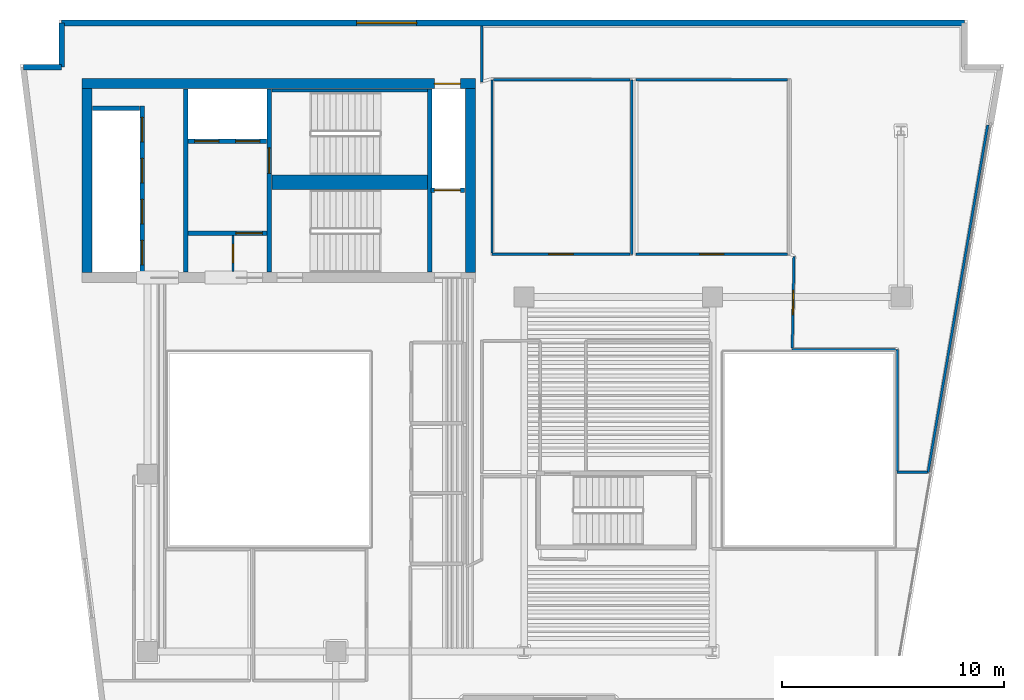
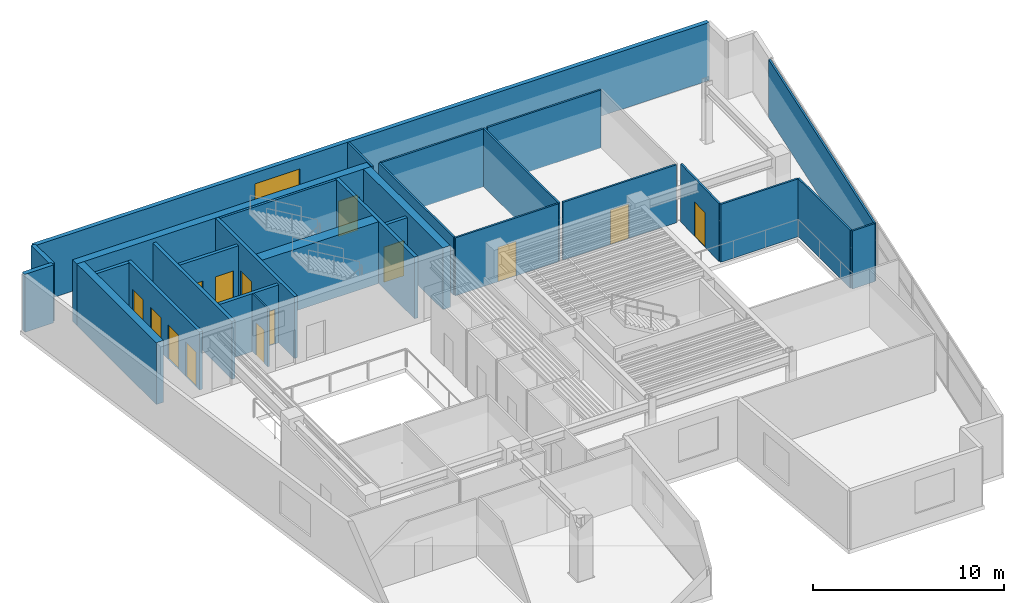
# One storey, part 5 of 9: 29 walls, 14 doors, 1 window, 15 openings.
"""IFC4 building model written with IfcOpenShell, lengths in metres."""

from ifc_helpers import new_model, si_unit, direction, frame, frame_2d, origin, place, context, subcontext, project, spatial, rectangle, extrude, material, layer, layer_set, type_object, element, fill, save


model = new_model("IFC4")

# Units and contexts
model_context = context("Model", 3, precision=1e-05, world=origin(), true_north=direction((0.0, 1.0)))
body_context = subcontext(model_context, "Body", "Model", "MODEL_VIEW")
ifc_project = project(units=[si_unit("LENGTHUNIT", "METRE"), si_unit("AREAUNIT", "SQUARE_METRE"), si_unit("VOLUMEUNIT", "CUBIC_METRE"), si_unit("PLANEANGLEUNIT", "RADIAN"), si_unit("MASSUNIT", "GRAM", prefix="KILO")], contexts=[model_context])

# Site, building, storey
site_placement = place(None, origin())
site = spatial("IfcSite", under=ifc_project, at=site_placement, CompositionType="ELEMENT")
building_placement = place(site_placement, origin())
building = spatial("IfcBuilding", under=site, at=building_placement, Name="Caeloran Harvest Quay", CompositionType="ELEMENT")
storey_placement = place(building_placement, frame((0.0, 0.0, 203.5)))
storey = spatial("IfcBuildingStorey", under=building, at=storey_placement, Name="L48", CompositionType="ELEMENT", Elevation=203.5)

# Walls
ifc_material_1 = material(Name="Precast concrete C50/60", Category="concrete")
ifc_layer_1 = layer(ifc_material_1, 0.260009765625, Name="Precast concrete C50/60")
ifc_layer_set_1 = layer_set([ifc_layer_1], Name="Precast concrete C50/60")
wall_type_1 = type_object("IfcWallType", Name="ENV-WALL-EW-260", PredefinedType="STANDARD", material=ifc_layer_set_1)
wall_1_placement = place(storey_placement, frame((2.89599609375, 41.3701171875, 0.0), z_axis=(0.0, 0.0, 1.0), x_axis=(1.0, 0.0, 0.0)))
element("IfcWall", 1, at=wall_1_placement, inside=storey, type_object=wall_type_1, Name="L48 Exterior Precast Concrete Facade Wall 4", PredefinedType="STANDARD", context=body_context, shape_type="SweptSolid", body=[
    extrude(rectangle(XDim=1.73388671875, YDim=0.260009765625, at=frame_2d((0.866943359375, 0.0))), origin(), (0.0, 0.0, 1.0), 3.699951171875),
])
wall_2_placement = place(storey_placement, frame((4.6298828125, 41.3701171875, 0.0), z_axis=(0.0, 0.0, 1.0), x_axis=(0.0, 1.0, 0.0)))
element("IfcWall", 2, at=wall_2_placement, inside=storey, type_object=wall_type_1, Name="L48 Exterior Precast Concrete Facade Wall 5", PredefinedType="STANDARD", context=body_context, shape_type="SweptSolid", body=[
    extrude(rectangle(XDim=2.0, YDim=0.260009765625, at=frame_2d((1.0, 0.0))), origin(), (0.0, 0.0, 1.0), 3.699951171875),
])

# Wall, opening, window
wall_3_placement = place(storey_placement, frame((4.6298828125, 43.3701171875, 0.0), z_axis=(0.0, 0.0, 1.0), x_axis=(1.0, 0.0, 0.0)))
wall_3 = element("IfcWall", 3, at=wall_3_placement, inside=storey, type_object=wall_type_1, Name="L48 Exterior Precast Concrete Facade Wall 6", PredefinedType="STANDARD", context=body_context, shape_type="SweptSolid", body=[
    extrude(rectangle(XDim=40.740234375, YDim=0.260009765625, at=frame_2d((20.3701171875, 0.0))), origin(), (0.0, 0.0, 1.0), 3.699951171875),
])
opening_1_placement = place(wall_3_placement, frame((13.31591796875, 0.0, 0.89990234375)))
opening_1 = element("IfcOpeningElement", 4, at=opening_1_placement, cuts=wall_3, Name="Opening W-07", PredefinedType="OPENING", context=body_context, shape_type="SweptSolid", body=[
    extrude(rectangle(XDim=2.699951171875, YDim=2.10009765625, at=frame_2d((1.35009765625, 1.050048828125))), frame((0.0, 0.14013671875, 0.0), z_axis=(0.0, -1.0, 0.0), x_axis=(1.0, 0.0, 0.0)), (0.0, 0.0, 1.0), 0.280029296875),
])
ifc_material_2 = material(Name="Aluminium-Framed Low-E Laminated Glass", Category="aluminium")
window_type = type_object("IfcWindowType", Name="WIN-W-07", PartitioningType="DOUBLE_PANEL_VERTICAL", PredefinedType="WINDOW", material=ifc_material_2)
window_placement = place(opening_1_placement, origin())
window = element("IfcWindow", 5, at=window_placement, inside=storey, type_object=window_type, Name="L48 Facade Punched Window W-07", OverallHeight=2.10009765625, OverallWidth=2.699951171875, PartitioningType="DOUBLE_PANEL_VERTICAL", PredefinedType="WINDOW", context=body_context, shape_type="SweptSolid", body=[
    extrude(rectangle(XDim=2.699951171875, YDim=2.10009765625, at=frame_2d((1.35009765625, 1.050048828125))), frame((0.0, 0.030029296875, 0.0), z_axis=(0.0, -1.0, 0.0), x_axis=(1.0, 0.0, 0.0)), (0.0, 0.0, 1.0), 0.06005859375),
])
fill(opening_1, window)

# Wall, opening, door
ifc_material_3 = material(Name="Fire-Resisting Gypsum Core Riser Partition", Category="gypsum")
ifc_layer_2 = layer(ifc_material_3, 0.10009765625, Name="Fire-Resisting Gypsum Core Riser Partition")
ifc_layer_set_2 = layer_set([ifc_layer_2], Name="Fire-Resisting Gypsum Core Riser Partition")
wall_type_2 = type_object("IfcWallType", Name="INT-WALL-PW-100", PredefinedType="PARTITIONING", material=ifc_layer_set_2)
wall_4_placement = place(storey_placement, frame((12.360107421875, 32.159912109375, 0.0), z_axis=(0.0, 0.0, 1.0), x_axis=(0.0, 1.0, 0.0)))
wall_4 = element("IfcWall", 6, at=wall_4_placement, inside=storey, type_object=wall_type_2, Name="L48 Core Store Partition Wall", PredefinedType="PARTITIONING", context=body_context, shape_type="SweptSolid", body=[
    extrude(rectangle(XDim=1.6201171875, YDim=0.10009765625, at=frame_2d((0.81005859375, 0.0))), origin(), (0.0, 0.0, 1.0), 3.699951171875),
])
opening_2_placement = place(wall_4_placement, frame((0.3798828125, 0.0, 0.0)))
opening_2 = element("IfcOpeningElement", 7, at=opening_2_placement, cuts=wall_4, Name="Opening SV-01", PredefinedType="OPENING", context=body_context, shape_type="SweptSolid", body=[
    extrude(rectangle(XDim=0.85009765625, YDim=2.10009765625, at=frame_2d((0.425048828125, 1.050048828125))), frame((0.0, 0.06005859375, 0.0), z_axis=(0.0, -1.0, 0.0), x_axis=(1.0, 0.0, 0.0)), (0.0, 0.0, 1.0), 0.1201171875),
])
ifc_material_4 = material(Name="Galvanized Painted Steel", Category="steel")
door_type_1 = type_object("IfcDoorType", Name="INTDOOR-SV-01", OperationType="NOTDEFINED", PredefinedType="DOOR", material=ifc_material_4)
door_1_placement = place(opening_2_placement, origin())
door_1 = element("IfcDoor", 8, at=door_1_placement, inside=storey, type_object=door_type_1, Name="L48 Core Service Room Access Door", OperationType="SINGLE_SWING_RIGHT", OverallHeight=2.10009765625, OverallWidth=0.85009765625, PredefinedType="DOOR", context=body_context, shape_type="SweptSolid", body=[
    extrude(rectangle(XDim=0.85009765625, YDim=2.10009765625, at=frame_2d((0.425048828125, 1.050048828125))), frame((0.0, 0.02490234375, 0.0), z_axis=(0.0, -1.0, 0.0), x_axis=(1.0, 0.0, 0.0)), (0.0, 0.0, 1.0), 0.050048828125),
])
fill(opening_2, door_1)

# Wall
ifc_material_5 = material(Name="Single-Stud Acoustic Gypsum Office Partition", Category="gypsum")
ifc_layer_3 = layer(ifc_material_5, 0.112060546875, Name="Single-Stud Acoustic Gypsum Office Partition")
ifc_layer_set_3 = layer_set([ifc_layer_3], Name="Single-Stud Acoustic Gypsum Office Partition")
wall_type_3 = type_object("IfcWallType", Name="INT-WALL-PW-112", PredefinedType="PARTITIONING", material=ifc_layer_set_3)
wall_5_placement = place(storey_placement, frame((30.35009765625, 40.800048828125, 0.0), z_axis=(0.0, 0.0, 1.0), x_axis=(0.0, -1.0, 0.0)))
element("IfcWall", 9, at=wall_5_placement, inside=storey, type_object=wall_type_3, Name="L48 Bioinformatics and Crop Phenotyping Laboratory Partition Wall", PredefinedType="PARTITIONING", context=body_context, shape_type="SweptSolid", body=[
    extrude(rectangle(XDim=7.880126953125, YDim=0.112060546875, at=frame_2d((3.93994140625, 0.0))), origin(), (0.0, 0.0, 1.0), 3.699951171875),
])

# Wall, opening, door
wall_6_placement = place(storey_placement, frame((30.2890625, 32.919921875, 0.0), z_axis=(0.0, 0.0, 1.0), x_axis=(-1.0, 0.0, 0.0)))
wall_6 = element("IfcWall", 10, at=wall_6_placement, inside=storey, type_object=wall_type_3, Name="L48 Bioinformatics and Crop Phenotyping Laboratory Partition Wall", PredefinedType="PARTITIONING", context=body_context, shape_type="SweptSolid", body=[
    extrude(rectangle(XDim=6.239013671875, YDim=0.112060546875, at=frame_2d((3.11962890625, 0.0))), origin(), (0.0, 0.0, 1.0), 3.699951171875),
])
opening_3_placement = place(wall_6_placement, frame((2.569580078125, 0.0, 0.0)))
opening_3 = element("IfcOpeningElement", 11, at=opening_3_placement, cuts=wall_6, Name="Opening ID-04", PredefinedType="OPENING", context=body_context, shape_type="SweptSolid", body=[
    extrude(rectangle(XDim=1.10009765625, YDim=2.199951171875, at=frame_2d((0.550048828125, 1.10009765625))), frame((0.0, 0.06591796875, 0.0), z_axis=(0.0, -1.0, 0.0), x_axis=(1.0, 0.0, 0.0)), (0.0, 0.0, 1.0), 0.132080078125),
])
ifc_material_6 = material(Name="Acoustic Walnut Veneer Executive Door", Category="wood")
door_type_2 = type_object("IfcDoorType", Name="INTDOOR-ID-04", OperationType="NOTDEFINED", PredefinedType="DOOR", material=ifc_material_6)
door_2_placement = place(opening_3_placement, origin())
door_2 = element("IfcDoor", 12, at=door_2_placement, inside=storey, type_object=door_type_2, Name="L48 Bioinformatics and Crop Phenotyping Laboratory Access Door", OperationType="SINGLE_SWING_LEFT", OverallHeight=2.199951171875, OverallWidth=1.10009765625, PredefinedType="DOOR", context=body_context, shape_type="SweptSolid", body=[
    extrude(rectangle(XDim=1.10009765625, YDim=2.199951171875, at=frame_2d((0.550048828125, 1.10009765625))), frame((0.0, 0.02490234375, 0.0), z_axis=(0.0, -1.0, 0.0), x_axis=(1.0, 0.0, 0.0)), (0.0, 0.0, 1.0), 0.050048828125),
])
fill(opening_3, door_2)

# Walls
wall_7_placement = place(storey_placement, frame((24.050048828125, 32.98095703125, 0.0), z_axis=(0.0, 0.0, 1.0), x_axis=(0.0, 1.0, 0.0)))
element("IfcWall", 13, at=wall_7_placement, inside=storey, type_object=wall_type_3, Name="L48 Bioinformatics and Crop Phenotyping Laboratory Partition Wall", PredefinedType="PARTITIONING", context=body_context, shape_type="SweptSolid", body=[
    extrude(rectangle(XDim=7.819091796875, YDim=0.112060546875, at=frame_2d((3.90966796875, 0.0))), origin(), (0.0, 0.0, 1.0), 3.699951171875),
])
wall_8_placement = place(storey_placement, frame((24.111083984375, 40.800048828125, 0.0), z_axis=(0.0, 0.0, 1.0), x_axis=(1.0, 0.0, 0.0)))
element("IfcWall", 14, at=wall_8_placement, inside=storey, type_object=wall_type_3, Name="L48 Bioinformatics and Crop Phenotyping Laboratory Partition Wall", PredefinedType="PARTITIONING", context=body_context, shape_type="SweptSolid", body=[
    extrude(rectangle(XDim=6.177978515625, YDim=0.112060546875, at=frame_2d((3.0888671875, 0.0))), origin(), (0.0, 0.0, 1.0), 3.699951171875),
])

# Wall, opening, door
wall_9_placement = place(storey_placement, frame((37.388916015625, 32.919921875, 0.0), z_axis=(0.0, 0.0, 1.0), x_axis=(-1.0, 0.0, 0.0)))
wall_9 = element("IfcWall", 15, at=wall_9_placement, inside=storey, type_object=wall_type_3, Name="L48 Agri-Genomics Executive Strategy Boardroom Partition Wall", PredefinedType="PARTITIONING", context=body_context, shape_type="SweptSolid", body=[
    extrude(rectangle(XDim=6.8388671875, YDim=0.112060546875, at=frame_2d((3.41943359375, 0.0))), origin(), (0.0, 0.0, 1.0), 3.699951171875),
])
opening_4_placement = place(wall_9_placement, frame((2.869384765625, 0.0, 0.0)))
opening_4 = element("IfcOpeningElement", 16, at=opening_4_placement, cuts=wall_9, Name="Opening ID-04", PredefinedType="OPENING", context=body_context, shape_type="SweptSolid", body=[
    extrude(rectangle(XDim=1.10009765625, YDim=2.199951171875, at=frame_2d((0.550048828125, 1.10009765625))), frame((0.0, 0.06591796875, 0.0), z_axis=(0.0, -1.0, 0.0), x_axis=(1.0, 0.0, 0.0)), (0.0, 0.0, 1.0), 0.132080078125),
])
door_3_placement = place(opening_4_placement, origin())
door_3 = element("IfcDoor", 17, at=door_3_placement, inside=storey, type_object=door_type_2, Name="L48 Agri-Genomics Executive Strategy Boardroom Access Door", OperationType="SINGLE_SWING_RIGHT", OverallHeight=2.199951171875, OverallWidth=1.10009765625, PredefinedType="DOOR", context=body_context, shape_type="SweptSolid", body=[
    extrude(rectangle(XDim=1.10009765625, YDim=2.199951171875, at=frame_2d((0.550048828125, 1.10009765625))), frame((0.0, 0.02490234375, 0.0), z_axis=(0.0, -1.0, 0.0), x_axis=(1.0, 0.0, 0.0)), (0.0, 0.0, 1.0), 0.050048828125),
])
fill(opening_4, door_3)

# Walls
wall_10_placement = place(storey_placement, frame((30.550048828125, 40.800048828125, 0.0), z_axis=(0.0, 0.0, 1.0), x_axis=(1.0, 0.0, 0.0)))
element("IfcWall", 18, at=wall_10_placement, inside=storey, type_object=wall_type_3, Name="L48 Agri-Genomics Executive Strategy Boardroom Partition Wall", PredefinedType="PARTITIONING", context=body_context, shape_type="SweptSolid", body=[
    extrude(rectangle(XDim=6.8388671875, YDim=0.112060546875, at=frame_2d((3.41943359375, 0.0))), origin(), (0.0, 0.0, 1.0), 3.699951171875),
])
wall_11_placement = place(storey_placement, frame((23.580078125, 40.693115234375, 0.0), z_axis=(0.0, 0.0, 1.0), x_axis=(0.0, 1.0, 0.0)))
element("IfcWall", 19, at=wall_11_placement, inside=storey, type_object=wall_type_3, Name="IT Comms Laboratory Partition Wall", PredefinedType="PARTITIONING", context=body_context, shape_type="SweptSolid", body=[
    extrude(rectangle(XDim=2.5419921875, YDim=0.112060546875, at=frame_2d((1.27099609375, 0.0))), origin(), (0.0, 0.0, 1.0), 3.699951171875),
])
wall_12_placement = place(storey_placement, frame((46.422119140625, 38.7626953125, 0.0), z_axis=(0.0, 0.0, 1.0), x_axis=(-0.169427539839, -0.985542646842, 0.0)))
element("IfcWall", 20, at=wall_12_placement, inside=storey, type_object=wall_type_3, Name="IT Comms Laboratory Partition Wall", PredefinedType="PARTITIONING", context=body_context, shape_type="SweptSolid", body=[
    extrude(rectangle(XDim=15.91259765625, YDim=0.112060546875, at=frame_2d((7.956298828125, 0.0))), origin(), (0.0, 0.0, 1.0), 3.699951171875),
])
wall_13_placement = place(storey_placement, frame((43.696533203125, 23.080078125, 0.0), z_axis=(0.0, 0.0, 1.0), x_axis=(-1.0, 0.0, 0.0)))
element("IfcWall", 21, at=wall_13_placement, inside=storey, type_object=wall_type_3, Name="IT Comms Laboratory Partition Wall", PredefinedType="PARTITIONING", context=body_context, shape_type="SweptSolid", body=[
    extrude(rectangle(XDim=1.366455078125, YDim=0.112060546875, at=frame_2d((0.68310546875, 0.0))), origin(), (0.0, 0.0, 1.0), 3.699951171875),
])
wall_14_placement = place(storey_placement, frame((42.330078125, 23.14111328125, 0.0), z_axis=(0.0, 0.0, 1.0), x_axis=(0.0, 1.0, 0.0)))
element("IfcWall", 22, at=wall_14_placement, inside=storey, type_object=wall_type_3, Name="IT Comms Laboratory Partition Wall", PredefinedType="PARTITIONING", context=body_context, shape_type="SweptSolid", body=[
    extrude(rectangle(XDim=5.48876953125, YDim=0.112060546875, at=frame_2d((2.744384765625, 0.0))), origin(), (0.0, 0.0, 1.0), 3.699951171875),
])
wall_15_placement = place(storey_placement, frame((42.26904296875, 28.6298828125, 0.0), z_axis=(0.0, 0.0, 1.0), x_axis=(-1.0, 0.0, 0.0)))
element("IfcWall", 23, at=wall_15_placement, inside=storey, type_object=wall_type_3, Name="IT Comms Laboratory Partition Wall", PredefinedType="PARTITIONING", context=body_context, shape_type="SweptSolid", body=[
    extrude(rectangle(XDim=4.671142578125, YDim=0.112060546875, at=frame_2d((2.33544921875, 0.0))), origin(), (0.0, 0.0, 1.0), 3.699951171875),
])

# Wall, opening, door
wall_16_placement = place(storey_placement, frame((37.59912109375, 28.69091796875, 0.0), z_axis=(0.0, 0.0, 1.0), x_axis=(0.019566997539, 0.999808547977, 0.0)))
wall_16 = element("IfcWall", 24, at=wall_16_placement, inside=storey, type_object=wall_type_3, Name="IT Comms Laboratory Partition Wall", PredefinedType="PARTITIONING", context=body_context, shape_type="SweptSolid", body=[
    extrude(rectangle(XDim=4.1298828125, YDim=0.112060546875, at=frame_2d((2.06494140625, 0.0))), origin(), (0.0, 0.0, 1.0), 3.699951171875),
])
opening_5_placement = place(wall_16_placement, frame((1.514892578125, 0.0, 0.0)))
opening_5 = element("IfcOpeningElement", 25, at=opening_5_placement, cuts=wall_16, Name="Opening ID-04", PredefinedType="OPENING", context=body_context, shape_type="SweptSolid", body=[
    extrude(rectangle(XDim=1.10009765625, YDim=2.199951171875, at=frame_2d((0.550048828125, 1.10009765625))), frame((0.0, 0.06591796875, 0.0), z_axis=(0.0, -1.0, 0.0), x_axis=(1.0, 0.0, 0.0)), (0.0, 0.0, 1.0), 0.132080078125),
])
door_4_placement = place(opening_5_placement, origin())
door_4 = element("IfcDoor", 26, at=door_4_placement, inside=storey, type_object=door_type_2, Name="IT Comms Laboratory Access Door", OperationType="SINGLE_SWING_LEFT", OverallHeight=2.199951171875, OverallWidth=1.10009765625, PredefinedType="DOOR", context=body_context, shape_type="SweptSolid", body=[
    extrude(rectangle(XDim=1.10009765625, YDim=2.199951171875, at=frame_2d((0.550048828125, 1.10009765625))), frame((0.0, 0.02490234375, 0.0), z_axis=(0.0, -1.0, 0.0), x_axis=(1.0, 0.0, 0.0)), (0.0, 0.0, 1.0), 0.050048828125),
])
fill(opening_5, door_4)

# Wall, openings, doors
ifc_material_7 = material(Name="Concrete C50/60", Category="concrete")
ifc_layer_4 = layer(ifc_material_7, 0.199951171875, Name="Concrete C50/60")
ifc_layer_set_4 = layer_set([ifc_layer_4], Name="Concrete C50/60")
wall_type_4 = type_object("IfcWallType", Name="INT-WALL-SW-200", PredefinedType="PARTITIONING", material=ifc_layer_set_4)
wall_17_placement = place(storey_placement, frame((8.260009765625, 32.1201171875, 0.0), z_axis=(0.0, 0.0, 1.0), x_axis=(0.0, 1.0, 0.0)))
wall_17 = element("IfcWall", 27, at=wall_17_placement, inside=storey, type_object=wall_type_4, Name="L48 Bank 3 Lift Shaft Wall", PredefinedType="PARTITIONING", context=body_context, shape_type="SweptSolid", body=[
    extrude(rectangle(XDim=7.5, YDim=0.199951171875, at=frame_2d((3.75, 0.0))), origin(), (0.0, 0.0, 1.0), 3.699951171875),
])
opening_6_placement = place(wall_17_placement, frame((0.330078125, 0.0, 0.0)))
opening_6 = element("IfcOpeningElement", 28, at=opening_6_placement, cuts=wall_17, Name="Opening LD-01", PredefinedType="OPENING", context=body_context, shape_type="SweptSolid", body=[
    extrude(rectangle(XDim=1.10009765625, YDim=2.199951171875, at=frame_2d((0.550048828125, 1.10009765625))), frame((0.0, 0.10986328125, 0.0), z_axis=(0.0, -1.0, 0.0), x_axis=(1.0, 0.0, 0.0)), (0.0, 0.0, 1.0), 0.219970703125),
])
opening_7_placement = place(wall_17_placement, frame((2.179931640625, 0.0, 0.0)))
opening_7 = element("IfcOpeningElement", 29, at=opening_7_placement, cuts=wall_17, Name="Opening LD-01", PredefinedType="OPENING", context=body_context, shape_type="SweptSolid", body=[
    extrude(rectangle(XDim=1.10009765625, YDim=2.199951171875, at=frame_2d((0.550048828125, 1.10009765625))), frame((0.0, 0.10986328125, 0.0), z_axis=(0.0, -1.0, 0.0), x_axis=(1.0, 0.0, 0.0)), (0.0, 0.0, 1.0), 0.219970703125),
])
opening_8_placement = place(wall_17_placement, frame((4.030029296875, 0.0, 0.0)))
opening_8 = element("IfcOpeningElement", 30, at=opening_8_placement, cuts=wall_17, Name="Opening LD-01", PredefinedType="OPENING", context=body_context, shape_type="SweptSolid", body=[
    extrude(rectangle(XDim=1.10009765625, YDim=2.199951171875, at=frame_2d((0.550048828125, 1.10009765625))), frame((0.0, 0.10986328125, 0.0), z_axis=(0.0, -1.0, 0.0), x_axis=(1.0, 0.0, 0.0)), (0.0, 0.0, 1.0), 0.219970703125),
])
opening_9_placement = place(wall_17_placement, frame((5.8798828125, 0.0, 0.0)))
opening_9 = element("IfcOpeningElement", 31, at=opening_9_placement, cuts=wall_17, Name="Opening LD-01", PredefinedType="OPENING", context=body_context, shape_type="SweptSolid", body=[
    extrude(rectangle(XDim=1.10009765625, YDim=2.199951171875, at=frame_2d((0.550048828125, 1.10009765625))), frame((0.0, 0.10986328125, 0.0), z_axis=(0.0, -1.0, 0.0), x_axis=(1.0, 0.0, 0.0)), (0.0, 0.0, 1.0), 0.219970703125),
])
ifc_material_8 = material(Name="Stainless Steel Grade 316", Category="steel")
door_type_3 = type_object("IfcDoorType", Name="INTDOOR-LD-01", OperationType="NOTDEFINED", PredefinedType="DOOR", material=ifc_material_8)
door_5_placement = place(opening_6_placement, origin())
door_5 = element("IfcDoor", 32, at=door_5_placement, inside=storey, type_object=door_type_3, Name="Lift P3-1 Sliding Landing Door (L48)", OperationType="DOUBLE_DOOR_SLIDING", OverallHeight=2.199951171875, OverallWidth=1.10009765625, PredefinedType="DOOR", context=body_context, shape_type="SweptSolid", body=[
    extrude(rectangle(XDim=1.10009765625, YDim=2.199951171875, at=frame_2d((0.550048828125, 1.10009765625))), frame((0.0, 0.02490234375, 0.0), z_axis=(0.0, -1.0, 0.0), x_axis=(1.0, 0.0, 0.0)), (0.0, 0.0, 1.0), 0.050048828125),
])
fill(opening_6, door_5)
door_6_placement = place(opening_7_placement, origin())
door_6 = element("IfcDoor", 33, at=door_6_placement, inside=storey, type_object=door_type_3, Name="Lift P3-2 Sliding Landing Door (L48)", OperationType="DOUBLE_DOOR_SLIDING", OverallHeight=2.199951171875, OverallWidth=1.10009765625, PredefinedType="DOOR", context=body_context, shape_type="SweptSolid", body=[
    extrude(rectangle(XDim=1.10009765625, YDim=2.199951171875, at=frame_2d((0.550048828125, 1.10009765625))), frame((0.0, 0.02490234375, 0.0), z_axis=(0.0, -1.0, 0.0), x_axis=(1.0, 0.0, 0.0)), (0.0, 0.0, 1.0), 0.050048828125),
])
fill(opening_7, door_6)
door_7_placement = place(opening_8_placement, origin())
door_7 = element("IfcDoor", 34, at=door_7_placement, inside=storey, type_object=door_type_3, Name="Lift P3-3 Sliding Landing Door (L48)", OperationType="DOUBLE_DOOR_SLIDING", OverallHeight=2.199951171875, OverallWidth=1.10009765625, PredefinedType="DOOR", context=body_context, shape_type="SweptSolid", body=[
    extrude(rectangle(XDim=1.10009765625, YDim=2.199951171875, at=frame_2d((0.550048828125, 1.10009765625))), frame((0.0, 0.02490234375, 0.0), z_axis=(0.0, -1.0, 0.0), x_axis=(1.0, 0.0, 0.0)), (0.0, 0.0, 1.0), 0.050048828125),
])
fill(opening_8, door_7)
door_8_placement = place(opening_9_placement, origin())
door_8 = element("IfcDoor", 35, at=door_8_placement, inside=storey, type_object=door_type_3, Name="Lift P3-4 Sliding Landing Door (L48)", OperationType="DOUBLE_DOOR_SLIDING", OverallHeight=2.199951171875, OverallWidth=1.10009765625, PredefinedType="DOOR", context=body_context, shape_type="SweptSolid", body=[
    extrude(rectangle(XDim=1.10009765625, YDim=2.199951171875, at=frame_2d((0.550048828125, 1.10009765625))), frame((0.0, 0.02490234375, 0.0), z_axis=(0.0, -1.0, 0.0), x_axis=(1.0, 0.0, 0.0)), (0.0, 0.0, 1.0), 0.050048828125),
])
fill(opening_9, door_8)

# Walls
wall_18_placement = place(storey_placement, frame((6.02001953125, 39.52001953125, 0.0), z_axis=(0.0, 0.0, 1.0), x_axis=(1.0, 0.0, 0.0)))
element("IfcWall", 36, at=wall_18_placement, inside=storey, type_object=wall_type_4, Name="L48 Bank 3 Lift Shaft North End Wall", PredefinedType="PARTITIONING", context=body_context, shape_type="SweptSolid", body=[
    extrude(rectangle(XDim=2.119873046875, YDim=0.199951171875, at=frame_2d((1.06005859375, 0.0))), origin(), (0.0, 0.0, 1.0), 3.699951171875),
])
wall_19_placement = place(storey_placement, frame((10.219970703125, 32.1201171875, 0.0), z_axis=(0.0, 0.0, 1.0), x_axis=(0.0, 1.0, 0.0)))
element("IfcWall", 37, at=wall_19_placement, inside=storey, type_object=wall_type_4, Name="L48 Core Lobby Compartment Wall", PredefinedType="PARTITIONING", context=body_context, shape_type="SweptSolid", body=[
    extrude(rectangle(XDim=8.259765625, YDim=0.199951171875, at=frame_2d((4.1298828125, 0.0))), origin(), (0.0, 0.0, 1.0), 3.699951171875),
])

# Wall, openings, doors
wall_20_placement = place(storey_placement, frame((10.340087890625, 38.02001953125, 0.0), z_axis=(0.0, 0.0, 1.0), x_axis=(1.0, 0.0, 0.0)))
wall_20 = element("IfcWall", 38, at=wall_20_placement, inside=storey, type_object=wall_type_4, Name="L48 Firefighting Lift Shaft Wall", PredefinedType="PARTITIONING", context=body_context, shape_type="SweptSolid", body=[
    extrude(rectangle(XDim=3.539794921875, YDim=0.199951171875, at=frame_2d((1.77001953125, 0.0))), origin(), (0.0, 0.0, 1.0), 3.699951171875),
])
opening_10_placement = place(wall_20_placement, frame((0.284912109375, 0.0, 0.0)))
opening_10 = element("IfcOpeningElement", 39, at=opening_10_placement, cuts=wall_20, Name="Opening LD-01", PredefinedType="OPENING", context=body_context, shape_type="SweptSolid", body=[
    extrude(rectangle(XDim=1.10009765625, YDim=2.199951171875, at=frame_2d((0.550048828125, 1.10009765625))), frame((0.0, 0.10986328125, 0.0), z_axis=(0.0, -1.0, 0.0), x_axis=(1.0, 0.0, 0.0)), (0.0, 0.0, 1.0), 0.219970703125),
])
opening_11_placement = place(wall_20_placement, frame((2.135009765625, 0.0, 0.0)))
opening_11 = element("IfcOpeningElement", 40, at=opening_11_placement, cuts=wall_20, Name="Opening LD-01", PredefinedType="OPENING", context=body_context, shape_type="SweptSolid", body=[
    extrude(rectangle(XDim=1.10009765625, YDim=2.199951171875, at=frame_2d((0.550048828125, 1.10009765625))), frame((0.0, 0.10986328125, 0.0), z_axis=(0.0, -1.0, 0.0), x_axis=(1.0, 0.0, 0.0)), (0.0, 0.0, 1.0), 0.219970703125),
])
door_9_placement = place(opening_10_placement, origin())
door_9 = element("IfcDoor", 41, at=door_9_placement, inside=storey, type_object=door_type_3, Name="Lift FF-1 Sliding Landing Door (L48)", OperationType="DOUBLE_DOOR_SLIDING", OverallHeight=2.199951171875, OverallWidth=1.10009765625, PredefinedType="DOOR", context=body_context, shape_type="SweptSolid", body=[
    extrude(rectangle(XDim=1.10009765625, YDim=2.199951171875, at=frame_2d((0.550048828125, 1.10009765625))), frame((0.0, 0.02490234375, 0.0), z_axis=(0.0, -1.0, 0.0), x_axis=(1.0, 0.0, 0.0)), (0.0, 0.0, 1.0), 0.050048828125),
])
fill(opening_10, door_9)
door_10_placement = place(opening_11_placement, origin())
door_10 = element("IfcDoor", 42, at=door_10_placement, inside=storey, type_object=door_type_3, Name="Lift FF-2 Sliding Landing Door (L48)", OperationType="DOUBLE_DOOR_SLIDING", OverallHeight=2.199951171875, OverallWidth=1.10009765625, PredefinedType="DOOR", context=body_context, shape_type="SweptSolid", body=[
    extrude(rectangle(XDim=1.10009765625, YDim=2.199951171875, at=frame_2d((0.550048828125, 1.10009765625))), frame((0.0, 0.02490234375, 0.0), z_axis=(0.0, -1.0, 0.0), x_axis=(1.0, 0.0, 0.0)), (0.0, 0.0, 1.0), 0.050048828125),
])
fill(opening_11, door_10)

# Wall, opening, door
wall_21_placement = place(storey_placement, frame((10.340087890625, 33.8798828125, 0.0), z_axis=(0.0, 0.0, 1.0), x_axis=(1.0, 0.0, 0.0)))
wall_21 = element("IfcWall", 43, at=wall_21_placement, inside=storey, type_object=wall_type_4, Name="L48 Firefighting Lift Lobby Enclosure Wall", PredefinedType="PARTITIONING", context=body_context, shape_type="SweptSolid", body=[
    extrude(rectangle(XDim=3.559814453125, YDim=0.199951171875, at=frame_2d((1.77978515625, 0.0))), origin(), (0.0, 0.0, 1.0), 3.699951171875),
])
opening_12_placement = place(wall_21_placement, frame((2.14990234375, 0.0, 0.0)))
opening_12 = element("IfcOpeningElement", 44, at=opening_12_placement, cuts=wall_21, Name="Opening FD-01", PredefinedType="OPENING", context=body_context, shape_type="SweptSolid", body=[
    extrude(rectangle(XDim=1.199951171875, YDim=2.199951171875, at=frame_2d((0.60009765625, 1.10009765625))), frame((0.0, 0.10986328125, 0.0), z_axis=(0.0, -1.0, 0.0), x_axis=(1.0, 0.0, 0.0)), (0.0, 0.0, 1.0), 0.219970703125),
])
ifc_material_9 = material(Name="Steel", Category="steel")
door_type_4 = type_object("IfcDoorType", Name="INTDOOR-FD-01", OperationType="NOTDEFINED", PredefinedType="DOOR", material=ifc_material_9)
door_11_placement = place(opening_12_placement, origin())
door_11 = element("IfcDoor", 45, at=door_11_placement, inside=storey, type_object=door_type_4, Name="L48 Firefighting Lift Lobby Smoke-Seal Fire Door", OperationType="SINGLE_SWING_LEFT", OverallHeight=2.199951171875, OverallWidth=1.199951171875, PredefinedType="DOOR", context=body_context, shape_type="SweptSolid", body=[
    extrude(rectangle(XDim=1.199951171875, YDim=2.199951171875, at=frame_2d((0.60009765625, 1.10009765625))), frame((0.0, 0.02490234375, 0.0), z_axis=(0.0, -1.0, 0.0), x_axis=(1.0, 0.0, 0.0)), (0.0, 0.0, 1.0), 0.050048828125),
])
fill(opening_12, door_11)

wall_22_placement = place(storey_placement, frame((21.300048828125, 35.820068359375, 0.0), z_axis=(0.0, 0.0, 1.0), x_axis=(1.0, 0.0, 0.0)))
wall_22 = element("IfcWall", 46, at=wall_22_placement, inside=storey, type_object=wall_type_4, Name="L48 Service Lift SV-2 Shaft Wall", PredefinedType="PARTITIONING", context=body_context, shape_type="SweptSolid", body=[
    extrude(rectangle(XDim=1.5, YDim=0.199951171875, at=frame_2d((0.75, 0.0))), origin(), (0.0, 0.0, 1.0), 3.699951171875),
])
opening_13_placement = place(wall_22_placement, frame((0.14501953125, 0.0, 0.0)))
opening_13 = element("IfcOpeningElement", 47, at=opening_13_placement, cuts=wall_22, Name="Opening LD-02", PredefinedType="OPENING", context=body_context, shape_type="SweptSolid", body=[
    extrude(rectangle(XDim=1.179931640625, YDim=2.25, at=frame_2d((0.58984375, 1.125))), frame((0.0, 0.10986328125, 0.0), z_axis=(0.0, -1.0, 0.0), x_axis=(1.0, 0.0, 0.0)), (0.0, 0.0, 1.0), 0.219970703125),
])
door_type_5 = type_object("IfcDoorType", Name="INTDOOR-LD-02", OperationType="NOTDEFINED", PredefinedType="DOOR", material=ifc_material_8)
door_12_placement = place(opening_13_placement, origin())
door_12 = element("IfcDoor", 48, at=door_12_placement, inside=storey, type_object=door_type_5, Name="Lift SV-2 Sliding Landing Door (L48)", OperationType="DOUBLE_DOOR_SLIDING", OverallHeight=2.25, OverallWidth=1.179931640625, PredefinedType="DOOR", context=body_context, shape_type="SweptSolid", body=[
    extrude(rectangle(XDim=1.179931640625, YDim=2.25, at=frame_2d((0.58984375, 1.125))), frame((0.0, 0.02490234375, 0.0), z_axis=(0.0, -1.0, 0.0), x_axis=(1.0, 0.0, 0.0)), (0.0, 0.0, 1.0), 0.050048828125),
])
fill(opening_13, door_12)

ifc_material_10 = material(Name="Concrete C60/75", Category="concrete")
ifc_layer_5 = layer(ifc_material_10, 0.449951171875, Name="Concrete C60/75")
ifc_layer_set_5 = layer_set([ifc_layer_5], Name="Concrete C60/75")
wall_type_5 = type_object("IfcWallType", Name="STR-WALL-CW-450", PredefinedType="SHEAR", material=ifc_layer_set_5)
wall_23_placement = place(storey_placement, frame((5.550048828125, 40.625, 0.0), z_axis=(0.0, 0.0, 1.0), x_axis=(1.0, 0.0, 0.0)))
wall_23 = element("IfcWall", 49, at=wall_23_placement, inside=storey, type_object=wall_type_5, Name="L48 Rear Core Shear Wall N", PredefinedType="SHEAR", context=body_context, shape_type="SweptSolid", body=[
    extrude(rectangle(XDim=17.75, YDim=0.449951171875, at=frame_2d((8.875, 0.0))), origin(), (0.0, 0.0, 1.0), 3.949951171875),
])
opening_14_placement = place(wall_23_placement, frame((15.89501953125, 0.0, 0.0)))
opening_14 = element("IfcOpeningElement", 50, at=opening_14_placement, cuts=wall_23, Name="Opening LD-02", PredefinedType="OPENING", context=body_context, shape_type="SweptSolid", body=[
    extrude(rectangle(XDim=1.179931640625, YDim=2.25, at=frame_2d((0.58984375, 1.125))), frame((0.0, 0.23486328125, 0.0), z_axis=(0.0, -1.0, 0.0), x_axis=(1.0, 0.0, 0.0)), (0.0, 0.0, 1.0), 0.469970703125),
])
door_13_placement = place(opening_14_placement, origin())
door_13 = element("IfcDoor", 51, at=door_13_placement, inside=storey, type_object=door_type_5, Name="Lift SV-1 Sliding Landing Door (L48)", OperationType="DOUBLE_DOOR_SLIDING", OverallHeight=2.25, OverallWidth=1.179931640625, PredefinedType="DOOR", context=body_context, shape_type="SweptSolid", body=[
    extrude(rectangle(XDim=1.179931640625, YDim=2.25, at=frame_2d((0.58984375, 1.125))), frame((0.0, 0.02490234375, 0.0), z_axis=(0.0, -1.0, 0.0), x_axis=(1.0, 0.0, 0.0)), (0.0, 0.0, 1.0), 0.050048828125),
])
fill(opening_14, door_13)

# Walls
for number, where, z_axis, x_axis, name in (
    (52, (5.77490234375, 32.10009765625, 0.0), (0.0, 0.0, 1.0), (0.0, 1.0, 0.0), "L48 Rear Core Shear Wall W"),
    (53, (23.074951171875, 32.10009765625, 0.0), (0.0, 0.0, 1.0), (0.0, 1.0, 0.0), "L48 Rear Core Shear Wall E"),
):
    element("IfcWall", number, at=place(storey_placement, frame(where, z_axis=z_axis, x_axis=x_axis)), inside=storey, type_object=wall_type_5, Name=name, PredefinedType="SHEAR", context=body_context, shape_type="SweptSolid", body=[
        extrude(rectangle(XDim=8.2998046875, YDim=0.449951171875, at=frame_2d((4.14990234375, 0.0))), origin(), (0.0, 0.0, 1.0), 3.949951171875),
    ])
ifc_layer_6 = layer(ifc_material_10, 0.64990234375, Name="Concrete C60/75")
ifc_layer_set_6 = layer_set([ifc_layer_6], Name="Concrete C60/75")
wall_type_6 = type_object("IfcWallType", Name="STR-WALL-CW-650", PredefinedType="SHEAR", material=ifc_layer_set_6)
wall_24_placement = place(storey_placement, frame((14.1201171875, 36.175048828125, 0.0), z_axis=(0.0, 0.0, 1.0), x_axis=(1.0, 0.0, 0.0)))
element("IfcWall", 54, at=wall_24_placement, inside=storey, type_object=wall_type_6, Name="L48 Core Stairs Dividing Shear Wall", PredefinedType="SHEAR", context=body_context, shape_type="SweptSolid", body=[
    extrude(rectangle(XDim=7.009765625, YDim=0.64990234375, at=frame_2d((3.5048828125, 0.0))), origin(), (0.0, 0.0, 1.0), 3.949951171875),
])
ifc_layer_7 = layer(ifc_material_10, 0.139892578125, Name="Concrete C60/75")
ifc_layer_set_7 = layer_set([ifc_layer_7], Name="Concrete C60/75")
wall_type_7 = type_object("IfcWallType", Name="STR-WALL-SW-140", PredefinedType="SHEAR", material=ifc_layer_set_7)
wall_25_placement = place(storey_placement, frame((14.1201171875, 40.320068359375, 0.0), z_axis=(0.0, 0.0, 1.0), x_axis=(1.0, 0.0, 0.0)))
element("IfcWall", 55, at=wall_25_placement, inside=storey, type_object=wall_type_7, Name="L48 Core Stair ST-C1 North Bearing Shear Wall", PredefinedType="SHEAR", context=body_context, shape_type="SweptSolid", body=[
    extrude(rectangle(XDim=7.009765625, YDim=0.139892578125, at=frame_2d((3.5048828125, 0.0))), origin(), (0.0, 0.0, 1.0), 3.949951171875),
])

# Wall, opening, door
ifc_layer_8 = layer(ifc_material_10, 0.199951171875, Name="Concrete C60/75")
ifc_layer_set_8 = layer_set([ifc_layer_8], Name="Concrete C60/75")
wall_type_8 = type_object("IfcWallType", Name="STR-WALL-SW-200", PredefinedType="SHEAR", material=ifc_layer_set_8)
wall_26_placement = place(storey_placement, frame((14.0, 32.1201171875, 0.0), z_axis=(0.0, 0.0, 1.0), x_axis=(0.0, 1.0, 0.0)))
wall_26 = element("IfcWall", 56, at=wall_26_placement, inside=storey, type_object=wall_type_8, Name="L48 Core Stair Shaft West Shear Wall", PredefinedType="SHEAR", context=body_context, shape_type="SweptSolid", body=[
    extrude(rectangle(XDim=8.259765625, YDim=0.199951171875, at=frame_2d((4.1298828125, 0.0))), origin(), (0.0, 0.0, 1.0), 3.949951171875),
])
opening_15_placement = place(wall_26_placement, frame((4.4599609375, 0.0, 0.0)))
opening_15 = element("IfcOpeningElement", 57, at=opening_15_placement, cuts=wall_26, Name="Opening SD-01", PredefinedType="OPENING", context=body_context, shape_type="SweptSolid", body=[
    extrude(rectangle(XDim=1.14990234375, YDim=2.199951171875, at=frame_2d((0.574951171875, 1.10009765625))), frame((0.0, 0.10986328125, 0.0), z_axis=(0.0, -1.0, 0.0), x_axis=(1.0, 0.0, 0.0)), (0.0, 0.0, 1.0), 0.219970703125),
])
door_type_6 = type_object("IfcDoorType", Name="INTDOOR-SD-01", OperationType="NOTDEFINED", PredefinedType="DOOR", material=ifc_material_9)
door_14_placement = place(opening_15_placement, origin())
door_14 = element("IfcDoor", 58, at=door_14_placement, inside=storey, type_object=door_type_6, Name="L48 Protected Stair ST-C1 Exit Door", OperationType="SINGLE_SWING_LEFT", OverallHeight=2.199951171875, OverallWidth=1.14990234375, PredefinedType="DOOR", context=body_context, shape_type="SweptSolid", body=[
    extrude(rectangle(XDim=1.14990234375, YDim=2.199951171875, at=frame_2d((0.574951171875, 1.10009765625))), frame((0.0, 0.02490234375, 0.0), z_axis=(0.0, -1.0, 0.0), x_axis=(1.0, 0.0, 0.0)), (0.0, 0.0, 1.0), 0.050048828125),
])
fill(opening_15, door_14)

# Wall
wall_27_placement = place(storey_placement, frame((21.25, 32.1201171875, 0.0), z_axis=(0.0, 0.0, 1.0), x_axis=(0.0, 1.0, 0.0)))
element("IfcWall", 59, at=wall_27_placement, inside=storey, type_object=wall_type_8, Name="L48 Core Stair Shaft East Shear Wall", PredefinedType="SHEAR", context=body_context, shape_type="SweptSolid", body=[
    extrude(rectangle(XDim=8.259765625, YDim=0.199951171875, at=frame_2d((4.1298828125, 0.0))), origin(), (0.0, 0.0, 1.0), 3.949951171875),
])

save(model, "model.ifc")
